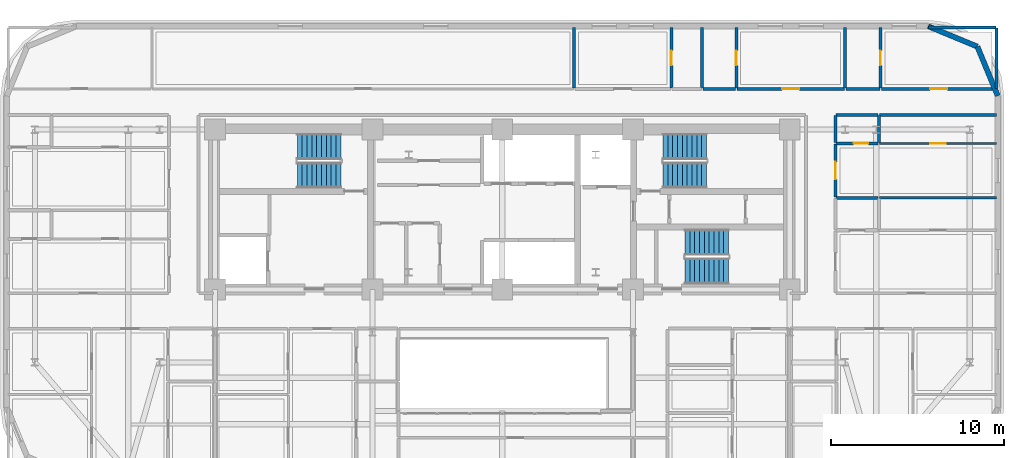
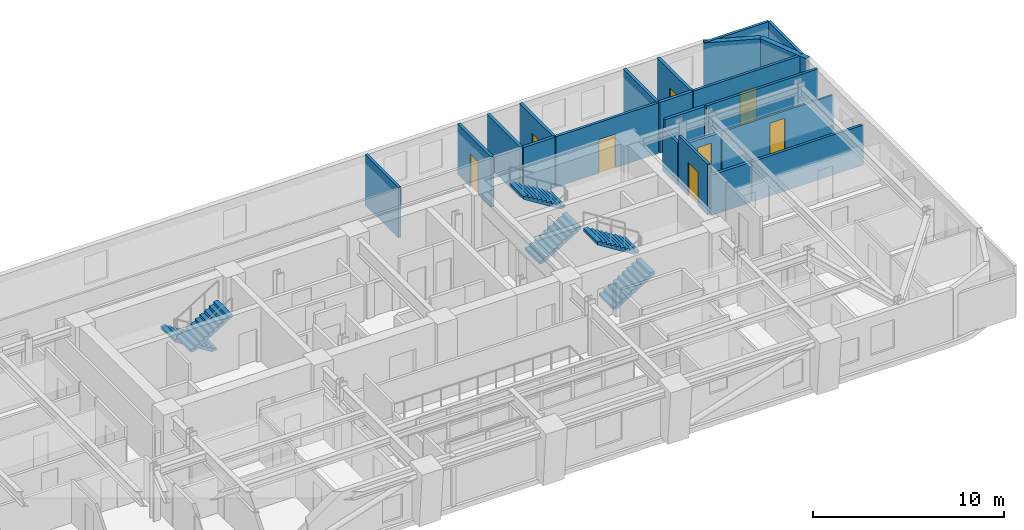
# One storey, part 13 of 16: 23 walls, 8 doors, 6 stair flights, 8 openings, 3 elements without a shape of their own.
"""IFC4 building model written with IfcOpenShell, lengths in metres."""

from ifc_helpers import new_model, si_unit, direction, frame, frame_2d, origin, place, context, subcontext, project, spatial, polyline, rectangle, outline, extrude, material, layer, layer_set, type_object, element, fill, aggregate, save


model = new_model("IFC4")

# Units and contexts
model_context = context("Model", 3, precision=1e-05, world=origin(), true_north=direction((0.0, 1.0)))
body_context = subcontext(model_context, "Body", "Model", "MODEL_VIEW")
ifc_project = project(units=[si_unit("LENGTHUNIT", "METRE"), si_unit("AREAUNIT", "SQUARE_METRE"), si_unit("VOLUMEUNIT", "CUBIC_METRE"), si_unit("PLANEANGLEUNIT", "RADIAN"), si_unit("MASSUNIT", "GRAM", prefix="KILO")], contexts=[model_context])

# Site, building, storey
site_placement = place(None, origin())
site = spatial("IfcSite", under=ifc_project, at=site_placement, CompositionType="ELEMENT")
building_placement = place(site_placement, origin())
building = spatial("IfcBuilding", under=site, at=building_placement, Name="Zarnavel Station Tower", CompositionType="ELEMENT")
storey_placement = place(building_placement, frame((0.0, 0.0, 104.800048828125)))
storey = spatial("IfcBuildingStorey", under=building, at=storey_placement, Name="L28", CompositionType="ELEMENT", Elevation=104.800048828125)

# Walls
ifc_material_1 = material(Name="Precast concrete C45/55 (Dark Basalt Finish)", Category="masonry")
ifc_layer_1 = layer(ifc_material_1, 0.300048828125)
ifc_layer_set_1 = layer_set([ifc_layer_1], Name="EW_BASALT_300")
wall_type_1 = type_object("IfcWallType", Name="EW_BASALT_300", PredefinedType="SOLIDWALL", material=ifc_layer_set_1)
wall_1_placement = place(storey_placement, frame((56.24267578125, 41.842529296875, 0.0), z_axis=(0.0, 0.0, 1.0), x_axis=(0.382636798336, -0.92389884758, 0.0)))
element("IfcWall", 1, at=wall_1_placement, inside=storey, type_object=wall_type_1, Name="L28 Exterior Basalt Masonry Frame Wall 04", PredefinedType="SOLIDWALL", context=body_context, shape_type="SweptSolid", body=[
    extrude(rectangle(XDim=3.07666015625, YDim=0.300048828125, at=frame_2d((1.538330078125, 0.0))), origin(), (0.0, 0.0, 1.0), 3.239990234375),
])
wall_2_placement = place(storey_placement, frame((53.39990234375, 43.02001953125, 0.0), z_axis=(0.0, 0.0, 1.0), x_axis=(0.923882414032, -0.382676475685, 0.0)))
element("IfcWall", 2, at=wall_2_placement, inside=storey, type_object=wall_type_1, Name="L28 Exterior Basalt Masonry Frame Wall 05", PredefinedType="SOLIDWALL", context=body_context, shape_type="SweptSolid", body=[
    extrude(rectangle(XDim=3.076904296875, YDim=0.300048828125, at=frame_2d((1.53857421875, 0.0))), origin(), (0.0, 0.0, 1.0), 3.239990234375),
])

# Wall, opening, door
ifc_material_2 = material(Name="Gypsum Twin-Stud Acoustic Fire Partition", Category="concrete")
ifc_layer_2 = layer(ifc_material_2, 0.159912109375)
ifc_layer_set_2 = layer_set([ifc_layer_2], Name="PT_DEMISE_160")
wall_type_2 = type_object("IfcWallType", Name="PT_DEMISE_160", PredefinedType="PARTITIONING", material=ifc_layer_set_2)
wall_3_placement = place(storey_placement, frame((48.050048828125, 33.14892578125, 0.0), z_axis=(0.0, 0.0, 1.0), x_axis=(0.0, 1.0, 0.0)))
wall_3 = element("IfcWall", 3, at=wall_3_placement, inside=storey, type_object=wall_type_2, Name="L28 Partition COR-E-FNE2R", PredefinedType="PARTITIONING", context=body_context, shape_type="SweptSolid", body=[
    extrude(rectangle(XDim=3.06103515625, YDim=0.159912109375, at=frame_2d((1.530517578125, 0.0))), origin(), (0.0, 0.0, 1.0), 3.239990234375),
])
opening_1_placement = place(wall_3_placement, frame((1.030517578125, 0.0, 0.0)))
opening_1 = element("IfcOpeningElement", 4, at=opening_1_placement, cuts=wall_3, Name="Opening FD02", PredefinedType="OPENING", context=body_context, shape_type="SweptSolid", body=[
    extrude(rectangle(XDim=1.0, YDim=2.14990234375, at=frame_2d((0.5, 1.074951171875))), frame((0.0, 0.08984375, 0.0), z_axis=(0.0, -1.0, 0.0), x_axis=(1.0, 0.0, 0.0)), (0.0, 0.0, 1.0), 0.179931640625),
])
ifc_material_3 = material(Name="Painted Galvanised Steel and Hardwood Leaf", Category="steel")
door_type_1 = type_object("IfcDoorType", Name="ID_ENTRY_1000", OperationType="NOTDEFINED", PredefinedType="DOOR", material=ifc_material_3)
door_1_placement = place(opening_1_placement, origin())
door_1 = element("IfcDoor", 5, at=door_1_placement, inside=storey, type_object=door_type_1, Name="L28 Door COR-E-FNE2R", OperationType="SINGLE_SWING_RIGHT", OverallHeight=2.14990234375, OverallWidth=1.0, PredefinedType="DOOR", context=body_context, shape_type="SweptSolid", body=[
    extrude(rectangle(XDim=1.0, YDim=2.14990234375, at=frame_2d((0.5, 1.074951171875))), frame((0.0, 0.02490234375, 0.0), z_axis=(0.0, -1.0, 0.0), x_axis=(1.0, 0.0, 0.0)), (0.0, 0.0, 1.0), 0.050048828125),
])
fill(opening_1, door_1)

# Wall
wall_4_placement = place(storey_placement, frame((50.590087890625, 37.89990234375, 0.0), z_axis=(0.0, 0.0, 1.0), x_axis=(1.0, 0.0, 0.0)))
element("IfcWall", 6, at=wall_4_placement, inside=storey, type_object=wall_type_2, Name="L28 Partition COR-N-FNE2S", PredefinedType="PARTITIONING", context=body_context, shape_type="SweptSolid", body=[
    extrude(rectangle(XDim=6.75, YDim=0.159912109375, at=frame_2d((3.375, 0.0))), origin(), (0.0, 0.0, 1.0), 3.239990234375),
])

# Wall, opening, door
wall_5_placement = place(storey_placement, frame((42.363037109375, 39.39990234375, 0.0), z_axis=(0.0, 0.0, 1.0), x_axis=(1.0, 0.0, 0.0)))
wall_5 = element("IfcWall", 7, at=wall_5_placement, inside=storey, type_object=wall_type_2, Name="L28 Partition COR-N-HN2R", PredefinedType="PARTITIONING", context=body_context, shape_type="SweptSolid", body=[
    extrude(rectangle(XDim=6.197021484375, YDim=0.159912109375, at=frame_2d((3.0986328125, 0.0))), origin(), (0.0, 0.0, 1.0), 3.239990234375),
])
opening_2_placement = place(wall_5_placement, frame((2.598388671875, 0.0, 0.0)))
opening_2 = element("IfcOpeningElement", 8, at=opening_2_placement, cuts=wall_5, Name="Opening FD02", PredefinedType="OPENING", context=body_context, shape_type="SweptSolid", body=[
    extrude(rectangle(XDim=1.0, YDim=2.14990234375, at=frame_2d((0.5, 1.074951171875))), frame((0.0, 0.08984375, 0.0), z_axis=(0.0, -1.0, 0.0), x_axis=(1.0, 0.0, 0.0)), (0.0, 0.0, 1.0), 0.179931640625),
])
door_2_placement = place(opening_2_placement, origin())
door_2 = element("IfcDoor", 9, at=door_2_placement, inside=storey, type_object=door_type_1, Name="L28 Door COR-N-HN2R", OperationType="SINGLE_SWING_RIGHT", OverallHeight=2.14990234375, OverallWidth=1.0, PredefinedType="DOOR", context=body_context, shape_type="SweptSolid", body=[
    extrude(rectangle(XDim=1.0, YDim=2.14990234375, at=frame_2d((0.5, 1.074951171875))), frame((0.0, 0.02490234375, 0.0), z_axis=(0.0, -1.0, 0.0), x_axis=(1.0, 0.0, 0.0)), (0.0, 0.0, 1.0), 0.050048828125),
])
fill(opening_2, door_2)

wall_6_placement = place(storey_placement, frame((50.68994140625, 39.39990234375, 0.0), z_axis=(0.0, 0.0, 1.0), x_axis=(1.0, 0.0, 0.0)))
wall_6 = element("IfcWall", 10, at=wall_6_placement, inside=storey, type_object=wall_type_2, Name="L28 Partition COR-N-HN3R", PredefinedType="PARTITIONING", context=body_context, shape_type="SweptSolid", body=[
    extrude(rectangle(XDim=6.650146484375, YDim=0.159912109375, at=frame_2d((3.3251953125, 0.0))), origin(), (0.0, 0.0, 1.0), 3.239990234375),
])
opening_3_placement = place(wall_6_placement, frame((2.824951171875, 0.0, 0.0)))
opening_3 = element("IfcOpeningElement", 11, at=opening_3_placement, cuts=wall_6, Name="Opening FD02", PredefinedType="OPENING", context=body_context, shape_type="SweptSolid", body=[
    extrude(rectangle(XDim=1.0, YDim=2.14990234375, at=frame_2d((0.5, 1.074951171875))), frame((0.0, 0.08984375, 0.0), z_axis=(0.0, -1.0, 0.0), x_axis=(1.0, 0.0, 0.0)), (0.0, 0.0, 1.0), 0.179931640625),
])
door_3_placement = place(opening_3_placement, origin())
door_3 = element("IfcDoor", 12, at=door_3_placement, inside=storey, type_object=door_type_1, Name="L28 Door COR-N-HN3R", OperationType="SINGLE_SWING_LEFT", OverallHeight=2.14990234375, OverallWidth=1.0, PredefinedType="DOOR", context=body_context, shape_type="SweptSolid", body=[
    extrude(rectangle(XDim=1.0, YDim=2.14990234375, at=frame_2d((0.5, 1.074951171875))), frame((0.0, 0.02490234375, 0.0), z_axis=(0.0, -1.0, 0.0), x_axis=(1.0, 0.0, 0.0)), (0.0, 0.0, 1.0), 0.050048828125),
])
fill(opening_3, door_3)

# Walls
wall_7_placement = place(storey_placement, frame((50.590087890625, 33.10888671875, 0.0), z_axis=(0.0, 0.0, 1.0), x_axis=(1.0, 0.0, 0.0)))
element("IfcWall", 13, at=wall_7_placement, inside=storey, type_object=wall_type_2, Name="L28 Partition FNE1S-FNE2R", PredefinedType="PARTITIONING", context=body_context, shape_type="SweptSolid", body=[
    extrude(rectangle(XDim=6.75, YDim=0.159912109375, at=frame_2d((3.375, 0.0))), origin(), (0.0, 0.0, 1.0), 2.570068359375),
])
wall_8_placement = place(storey_placement, frame((32.949951171875, 39.43994140625, 0.0), z_axis=(0.0, 0.0, 1.0), x_axis=(0.0, 1.0, 0.0)))
element("IfcWall", 14, at=wall_8_placement, inside=storey, type_object=wall_type_2, Name="L28 Partition NCLB-HN1R", PredefinedType="PARTITIONING", context=body_context, shape_type="SweptSolid", body=[
    extrude(rectangle(XDim=3.5, YDim=0.159912109375, at=frame_2d((1.75, 0.0))), origin(), (0.0, 0.0, 1.0), 3.239990234375),
])
wall_9_placement = place(storey_placement, frame((53.429931640625, 42.93994140625, 0.0), z_axis=(0.0, 0.0, 1.0), x_axis=(1.0, 0.0, 0.0)))
element("IfcWall", 15, at=wall_9_placement, inside=storey, type_object=wall_type_2, Name="L28 Enclosure Wall HN3R", PredefinedType="PARTITIONING", context=body_context, shape_type="SweptSolid", body=[
    extrude(rectangle(XDim=3.880126953125, YDim=0.159912109375, at=frame_2d((1.93994140625, 0.0))), origin(), (0.0, 0.0, 1.0), 3.239990234375),
])
wall_10_placement = place(storey_placement, frame((57.340087890625, 39.429931640625, 0.0), z_axis=(0.0, 0.0, 1.0), x_axis=(0.0, 1.0, 0.0)))
element("IfcWall", 16, at=wall_10_placement, inside=storey, type_object=wall_type_2, Name="L28 Enclosure Wall HN3R", PredefinedType="PARTITIONING", context=body_context, shape_type="SweptSolid", body=[
    extrude(rectangle(XDim=3.47998046875, YDim=0.159912109375, at=frame_2d((1.739990234375, 0.0))), origin(), (0.0, 0.0, 1.0), 3.239990234375),
])

# Wall, opening, door
ifc_material_4 = material(Name="Gypsum Metal-Stud Interior Partition", Category="concrete")
ifc_layer_3 = layer(ifc_material_4, 0.1201171875)
ifc_layer_set_3 = layer_set([ifc_layer_3], Name="PT_ROOM_120")
wall_type_3 = type_object("IfcWallType", Name="PT_ROOM_120", PredefinedType="PARTITIONING", material=ifc_layer_set_3)
wall_11_placement = place(storey_placement, frame((50.590087890625, 36.25, 0.0), z_axis=(0.0, 0.0, 1.0), x_axis=(1.0, 0.0, 0.0)))
wall_11 = element("IfcWall", 17, at=wall_11_placement, inside=storey, type_object=wall_type_3, Name="L28 Partition FNE2R-FNE2S", PredefinedType="PARTITIONING", context=body_context, shape_type="SweptSolid", body=[
    extrude(rectangle(XDim=6.75, YDim=0.1201171875, at=frame_2d((3.375, 0.0))), origin(), (0.0, 0.0, 1.0), 2.570068359375),
])
opening_4_placement = place(wall_11_placement, frame((2.925048828125, 0.0, 0.0)))
opening_4 = element("IfcOpeningElement", 18, at=opening_4_placement, cuts=wall_11, Name="Opening ID01", PredefinedType="OPENING", context=body_context, shape_type="SweptSolid", body=[
    extrude(rectangle(XDim=0.89990234375, YDim=2.10009765625, at=frame_2d((0.449951171875, 1.050048828125))), frame((0.0, 0.070068359375, 0.0), z_axis=(0.0, -1.0, 0.0), x_axis=(1.0, 0.0, 0.0)), (0.0, 0.0, 1.0), 0.14013671875),
])
ifc_material_5 = material(Name="Painted Galvanised Steel and Hardwood Leaf", Category="steel")
door_type_2 = type_object("IfcDoorType", Name="ID_ROOM_900", OperationType="NOTDEFINED", PredefinedType="DOOR", material=ifc_material_5)
door_4_placement = place(opening_4_placement, origin())
door_4 = element("IfcDoor", 19, at=door_4_placement, inside=storey, type_object=door_type_2, Name="L28 Door FNE2R-FNE2S", OperationType="SINGLE_SWING_RIGHT", OverallHeight=2.10009765625, OverallWidth=0.89990234375, PredefinedType="DOOR", context=body_context, shape_type="SweptSolid", body=[
    extrude(rectangle(XDim=0.89990234375, YDim=2.10009765625, at=frame_2d((0.449951171875, 1.050048828125))), frame((0.0, 0.02490234375, 0.0), z_axis=(0.0, -1.0, 0.0), x_axis=(1.0, 0.0, 0.0)), (0.0, 0.0, 1.0), 0.050048828125),
])
fill(opening_4, door_4)

# Walls
ifc_material_6 = material(Name="Moisture-Resistant Plumbing Chase Wall", Category="concrete")
ifc_layer_4 = layer(ifc_material_6, 0.179931640625)
ifc_layer_set_4 = layer_set([ifc_layer_4], Name="PW_PLUMB_180")
wall_type_4 = type_object("IfcWallType", Name="PW_PLUMB_180", PredefinedType="PLUMBINGWALL", material=ifc_layer_set_4)
wall_12_placement = place(storey_placement, frame((48.050048828125, 36.2900390625, 0.0), z_axis=(0.0, 0.0, 1.0), x_axis=(0.0, 1.0, 0.0)))
element("IfcWall", 20, at=wall_12_placement, inside=storey, type_object=wall_type_4, Name="L28 Partition COR-E-FNE2B", PredefinedType="PLUMBINGWALL", context=body_context, shape_type="SweptSolid", body=[
    extrude(rectangle(XDim=1.570068359375, YDim=0.179931640625, at=frame_2d((0.78515625, 0.0))), origin(), (0.0, 0.0, 1.0), 2.719970703125),
])
wall_13_placement = place(storey_placement, frame((48.090087890625, 37.89990234375, 0.0), z_axis=(0.0, 0.0, 1.0), x_axis=(1.0, 0.0, 0.0)))
element("IfcWall", 21, at=wall_13_placement, inside=storey, type_object=wall_type_4, Name="L28 Partition COR-N-FNE2B", PredefinedType="PLUMBINGWALL", context=body_context, shape_type="SweptSolid", body=[
    extrude(rectangle(XDim=2.419921875, YDim=0.179931640625, at=frame_2d((1.2099609375, 0.0))), origin(), (0.0, 0.0, 1.0), 3.239990234375),
])
wall_14_placement = place(storey_placement, frame((40.381103515625, 39.39990234375, 0.0), z_axis=(0.0, 0.0, 1.0), x_axis=(1.0, 0.0, 0.0)))
element("IfcWall", 22, at=wall_14_placement, inside=storey, type_object=wall_type_4, Name="L28 Partition COR-N-HN2B", PredefinedType="PLUMBINGWALL", context=body_context, shape_type="SweptSolid", body=[
    extrude(rectangle(XDim=1.90185546875, YDim=0.179931640625, at=frame_2d((0.950927734375, 0.0))), origin(), (0.0, 0.0, 1.0), 3.239990234375),
])
wall_15_placement = place(storey_placement, frame((48.639892578125, 39.39990234375, 0.0), z_axis=(0.0, 0.0, 1.0), x_axis=(1.0, 0.0, 0.0)))
element("IfcWall", 23, at=wall_15_placement, inside=storey, type_object=wall_type_4, Name="L28 Partition COR-N-HN3B", PredefinedType="PLUMBINGWALL", context=body_context, shape_type="SweptSolid", body=[
    extrude(rectangle(XDim=1.97021484375, YDim=0.179931640625, at=frame_2d((0.985107421875, 0.0))), origin(), (0.0, 0.0, 1.0), 3.239990234375),
])
wall_16_placement = place(storey_placement, frame((48.090087890625, 33.10888671875, 0.0), z_axis=(0.0, 0.0, 1.0), x_axis=(1.0, 0.0, 0.0)))
element("IfcWall", 24, at=wall_16_placement, inside=storey, type_object=wall_type_4, Name="L28 Partition FNE1B-FNE2R", PredefinedType="PLUMBINGWALL", context=body_context, shape_type="SweptSolid", body=[
    extrude(rectangle(XDim=2.419921875, YDim=0.179931640625, at=frame_2d((1.2099609375, 0.0))), origin(), (0.0, 0.0, 1.0), 2.570068359375),
])

# Wall, opening, door
wall_17_placement = place(storey_placement, frame((50.510009765625, 36.25, 0.0), z_axis=(0.0, 0.0, 1.0), x_axis=(-1.0, 0.0, 0.0)))
wall_17 = element("IfcWall", 25, at=wall_17_placement, inside=storey, type_object=wall_type_4, Name="L28 Partition FNE2R-FNE2B", PredefinedType="PLUMBINGWALL", context=body_context, shape_type="SweptSolid", body=[
    extrude(rectangle(XDim=2.419921875, YDim=0.179931640625, at=frame_2d((1.2099609375, 0.0))), origin(), (0.0, 0.0, 1.0), 2.570068359375),
])
opening_5_placement = place(wall_17_placement, frame((0.570068359375, 0.0, 0.0)))
opening_5 = element("IfcOpeningElement", 26, at=opening_5_placement, cuts=wall_17, Name="Opening ID02", PredefinedType="OPENING", context=body_context, shape_type="SweptSolid", body=[
    extrude(rectangle(XDim=0.85009765625, YDim=2.10009765625, at=frame_2d((0.425048828125, 1.050048828125))), frame((0.0, 0.099853515625, 0.0), z_axis=(0.0, -1.0, 0.0), x_axis=(1.0, 0.0, 0.0)), (0.0, 0.0, 1.0), 0.199951171875),
])
ifc_material_7 = material(Name="Painted Galvanised Steel and Hardwood Leaf", Category="steel")
door_type_3 = type_object("IfcDoorType", Name="ID_BATH_850", OperationType="NOTDEFINED", PredefinedType="DOOR", material=ifc_material_7)
door_5_placement = place(opening_5_placement, origin())
door_5 = element("IfcDoor", 27, at=door_5_placement, inside=storey, type_object=door_type_3, Name="L28 Door FNE2R-FNE2B", OperationType="SINGLE_SWING_LEFT", OverallHeight=2.10009765625, OverallWidth=0.85009765625, PredefinedType="DOOR", context=body_context, shape_type="SweptSolid", body=[
    extrude(rectangle(XDim=0.85009765625, YDim=2.10009765625, at=frame_2d((0.425048828125, 1.050048828125))), frame((0.0, 0.02490234375, 0.0), z_axis=(0.0, -1.0, 0.0), x_axis=(1.0, 0.0, 0.0)), (0.0, 0.0, 1.0), 0.050048828125),
])
fill(opening_5, door_5)

# Wall
wall_18_placement = place(storey_placement, frame((50.550048828125, 36.2900390625, 0.0), z_axis=(0.0, 0.0, 1.0), x_axis=(0.0, 1.0, 0.0)))
element("IfcWall", 28, at=wall_18_placement, inside=storey, type_object=wall_type_4, Name="L28 Partition FNE2B-FNE2S", PredefinedType="PLUMBINGWALL", context=body_context, shape_type="SweptSolid", body=[
    extrude(rectangle(XDim=1.570068359375, YDim=0.179931640625, at=frame_2d((0.78515625, 0.0))), origin(), (0.0, 0.0, 1.0), 2.570068359375),
])

# Wall, opening, door
wall_19_placement = place(storey_placement, frame((38.56689453125, 39.43994140625, 0.0), z_axis=(0.0, 0.0, 1.0), x_axis=(0.0, 1.0, 0.0)))
wall_19 = element("IfcWall", 29, at=wall_19_placement, inside=storey, type_object=wall_type_4, Name="L28 Partition HN1R-HN1B", PredefinedType="PLUMBINGWALL", context=body_context, shape_type="SweptSolid", body=[
    extrude(rectangle(XDim=3.5, YDim=0.179931640625, at=frame_2d((1.75, 0.0))), origin(), (0.0, 0.0, 1.0), 3.239990234375),
])
opening_6_placement = place(wall_19_placement, frame((1.324951171875, 0.0, 0.0)))
opening_6 = element("IfcOpeningElement", 30, at=opening_6_placement, cuts=wall_19, Name="Opening ID02", PredefinedType="OPENING", context=body_context, shape_type="SweptSolid", body=[
    extrude(rectangle(XDim=0.85009765625, YDim=2.10009765625, at=frame_2d((0.425048828125, 1.050048828125))), frame((0.0, 0.099853515625, 0.0), z_axis=(0.0, -1.0, 0.0), x_axis=(1.0, 0.0, 0.0)), (0.0, 0.0, 1.0), 0.199951171875),
])
door_6_placement = place(opening_6_placement, origin())
door_6 = element("IfcDoor", 31, at=door_6_placement, inside=storey, type_object=door_type_3, Name="L28 Door HN1R-HN1B", OperationType="SINGLE_SWING_LEFT", OverallHeight=2.10009765625, OverallWidth=0.85009765625, PredefinedType="DOOR", context=body_context, shape_type="SweptSolid", body=[
    extrude(rectangle(XDim=0.85009765625, YDim=2.10009765625, at=frame_2d((0.425048828125, 1.050048828125))), frame((0.0, 0.02490234375, 0.0), z_axis=(0.0, -1.0, 0.0), x_axis=(1.0, 0.0, 0.0)), (0.0, 0.0, 1.0), 0.050048828125),
])
fill(opening_6, door_6)

# Wall
wall_20_placement = place(storey_placement, frame((40.341064453125, 39.43994140625, 0.0), z_axis=(0.0, 0.0, 1.0), x_axis=(0.0, 1.0, 0.0)))
element("IfcWall", 32, at=wall_20_placement, inside=storey, type_object=wall_type_4, Name="L28 Partition HN1B-HN2B", PredefinedType="PLUMBINGWALL", context=body_context, shape_type="SweptSolid", body=[
    extrude(rectangle(XDim=3.5, YDim=0.179931640625, at=frame_2d((1.75, 0.0))), origin(), (0.0, 0.0, 1.0), 3.239990234375),
])

# Wall, opening, door
wall_21_placement = place(storey_placement, frame((42.322998046875, 39.43994140625, 0.0), z_axis=(0.0, 0.0, 1.0), x_axis=(0.0, 1.0, 0.0)))
wall_21 = element("IfcWall", 33, at=wall_21_placement, inside=storey, type_object=wall_type_4, Name="L28 Partition HN2R-HN2B", PredefinedType="PLUMBINGWALL", context=body_context, shape_type="SweptSolid", body=[
    extrude(rectangle(XDim=3.5, YDim=0.179931640625, at=frame_2d((1.75, 0.0))), origin(), (0.0, 0.0, 1.0), 3.239990234375),
])
opening_7_placement = place(wall_21_placement, frame((1.324951171875, 0.0, 0.0)))
opening_7 = element("IfcOpeningElement", 34, at=opening_7_placement, cuts=wall_21, Name="Opening ID02", PredefinedType="OPENING", context=body_context, shape_type="SweptSolid", body=[
    extrude(rectangle(XDim=0.85009765625, YDim=2.10009765625, at=frame_2d((0.425048828125, 1.050048828125))), frame((0.0, 0.099853515625, 0.0), z_axis=(0.0, -1.0, 0.0), x_axis=(1.0, 0.0, 0.0)), (0.0, 0.0, 1.0), 0.199951171875),
])
door_7_placement = place(opening_7_placement, origin())
door_7 = element("IfcDoor", 35, at=door_7_placement, inside=storey, type_object=door_type_3, Name="L28 Door HN2R-HN2B", OperationType="SINGLE_SWING_RIGHT", OverallHeight=2.10009765625, OverallWidth=0.85009765625, PredefinedType="DOOR", context=body_context, shape_type="SweptSolid", body=[
    extrude(rectangle(XDim=0.85009765625, YDim=2.10009765625, at=frame_2d((0.425048828125, 1.050048828125))), frame((0.0, 0.02490234375, 0.0), z_axis=(0.0, -1.0, 0.0), x_axis=(1.0, 0.0, 0.0)), (0.0, 0.0, 1.0), 0.050048828125),
])
fill(opening_7, door_7)

# Wall
wall_22_placement = place(storey_placement, frame((48.60009765625, 39.43994140625, 0.0), z_axis=(0.0, 0.0, 1.0), x_axis=(0.0, 1.0, 0.0)))
element("IfcWall", 36, at=wall_22_placement, inside=storey, type_object=wall_type_4, Name="L28 Partition HN2R-HN3B", PredefinedType="PLUMBINGWALL", context=body_context, shape_type="SweptSolid", body=[
    extrude(rectangle(XDim=3.5, YDim=0.179931640625, at=frame_2d((1.75, 0.0))), origin(), (0.0, 0.0, 1.0), 3.239990234375),
])

# Wall, opening, door
wall_23_placement = place(storey_placement, frame((50.64990234375, 39.43994140625, 0.0), z_axis=(0.0, 0.0, 1.0), x_axis=(0.0, 1.0, 0.0)))
wall_23 = element("IfcWall", 37, at=wall_23_placement, inside=storey, type_object=wall_type_4, Name="L28 Partition HN3R-HN3B", PredefinedType="PLUMBINGWALL", context=body_context, shape_type="SweptSolid", body=[
    extrude(rectangle(XDim=3.5, YDim=0.179931640625, at=frame_2d((1.75, 0.0))), origin(), (0.0, 0.0, 1.0), 3.239990234375),
])
opening_8_placement = place(wall_23_placement, frame((1.324951171875, 0.0, 0.0)))
opening_8 = element("IfcOpeningElement", 38, at=opening_8_placement, cuts=wall_23, Name="Opening ID02", PredefinedType="OPENING", context=body_context, shape_type="SweptSolid", body=[
    extrude(rectangle(XDim=0.85009765625, YDim=2.10009765625, at=frame_2d((0.425048828125, 1.050048828125))), frame((0.0, 0.099853515625, 0.0), z_axis=(0.0, -1.0, 0.0), x_axis=(1.0, 0.0, 0.0)), (0.0, 0.0, 1.0), 0.199951171875),
])
door_8_placement = place(opening_8_placement, origin())
door_8 = element("IfcDoor", 39, at=door_8_placement, inside=storey, type_object=door_type_3, Name="L28 Door HN3R-HN3B", OperationType="SINGLE_SWING_LEFT", OverallHeight=2.10009765625, OverallWidth=0.85009765625, PredefinedType="DOOR", context=body_context, shape_type="SweptSolid", body=[
    extrude(rectangle(XDim=0.85009765625, YDim=2.10009765625, at=frame_2d((0.425048828125, 1.050048828125))), frame((0.0, 0.02490234375, 0.0), z_axis=(0.0, -1.0, 0.0), x_axis=(1.0, 0.0, 0.0)), (0.0, 0.0, 1.0), 0.050048828125),
])
fill(opening_8, door_8)

# Stair, stair flights
ifc_material_8 = material(Name="Concrete C45/55", Category="concrete")
stair_type = type_object("IfcStairType", Name="ST_CORE_150", PredefinedType="HALF_TURN_STAIR", material=ifc_material_8)
stair_1_placement = place(storey_placement, origin())
stair_1 = element("IfcStair", 40, at=stair_1_placement, inside=storey, type_object=stair_type, Name="L28 Core Exit Stair ST1", PredefinedType="HALF_TURN_STAIR")
ifc_material_9 = material(Name="Concrete C45/55", Category="concrete")
ifc_layer_5 = layer(ifc_material_9, 0.179931640625)
ifc_layer_set_5 = layer_set([ifc_layer_5], Name="ST_CORE_150_FLT")
stair_flight_type = type_object("IfcStairFlightType", Name="ST_CORE_150_FLT", PredefinedType="STRAIGHT", material=ifc_layer_set_5)
stair_flight_1_placement = place(storey_placement, frame((19.47998046875, 36.070068359375, 0.0), z_axis=(0.0, 0.0, 1.0), x_axis=(-1.0, 0.0, 0.0)))
stair_flight_1 = element("IfcStairFlight", 41, at=stair_flight_1_placement, type_object=stair_flight_type, Name="ST1 flight 1", NumberOfRisers=10, NumberOfTreads=9, PredefinedType="STRAIGHT", RiserHeight=0.175, TreadLength=0.28, context=body_context, shape_type="SweptSolid", body=[
    extrude(outline(polyline([(0.0, 0.0), (0.0, 0.175048828125), (0.280029296875, 0.175048828125), (0.280029296875, 0.35009765625), (0.56005859375, 0.35009765625), (0.56005859375, 0.52490234375), (0.840087890625, 0.52490234375), (0.840087890625, 0.699951171875), (1.1201171875, 0.699951171875), (1.1201171875, 0.875), (1.39990234375, 0.875), (1.39990234375, 1.050048828125), (1.679931640625, 1.050048828125), (1.679931640625, 1.22509765625), (1.9599609375, 1.22509765625), (1.9599609375, 1.39990234375), (2.239990234375, 1.39990234375), (2.239990234375, 1.574951171875), (2.52001953125, 1.574951171875), (2.52001953125, 1.75), (2.52001953125, 1.398193359375), (0.28271484375, 0.0), (0.0, 0.0)])), frame((0.0, 0.75, 0.0), z_axis=(0.0, -1.0, 0.0), x_axis=(1.0, 0.0, 0.0)), (0.0, 0.0, 1.0), 1.5),
])
stair_flight_2_placement = place(storey_placement, frame((16.9599609375, 34.409912109375, 1.75), z_axis=(0.0, 0.0, 1.0), x_axis=(1.0, 0.0, 0.0)))
stair_flight_2 = element("IfcStairFlight", 42, at=stair_flight_2_placement, type_object=stair_flight_type, Name="ST1 flight 2", NumberOfRisers=10, NumberOfTreads=9, PredefinedType="STRAIGHT", RiserHeight=0.175, TreadLength=0.28, context=body_context, shape_type="SweptSolid", body=[
    extrude(outline(polyline([(0.0, 0.0), (0.0, 0.175048828125), (0.280029296875, 0.175048828125), (0.280029296875, 0.35009765625), (0.56005859375, 0.35009765625), (0.56005859375, 0.52490234375), (0.840087890625, 0.52490234375), (0.840087890625, 0.699951171875), (1.1201171875, 0.699951171875), (1.1201171875, 0.875), (1.39990234375, 0.875), (1.39990234375, 1.050048828125), (1.679931640625, 1.050048828125), (1.679931640625, 1.22509765625), (1.9599609375, 1.22509765625), (1.9599609375, 1.39990234375), (2.239990234375, 1.39990234375), (2.239990234375, 1.574951171875), (2.52001953125, 1.574951171875), (2.52001953125, 1.75), (2.52001953125, 1.398193359375), (0.28271484375, 0.0), (0.0, 0.0)])), frame((0.0, 0.75, 0.0), z_axis=(0.0, -1.0, 0.0), x_axis=(1.0, 0.0, 0.0)), (0.0, 0.0, 1.0), 1.5),
])
aggregate(stair_1, [stair_flight_1, stair_flight_2])

stair_2_placement = place(storey_placement, origin())
stair_2 = element("IfcStair", 43, at=stair_2_placement, inside=storey, type_object=stair_type, Name="L28 Core Exit Stair ST2", PredefinedType="HALF_TURN_STAIR")
stair_flight_3_placement = place(storey_placement, frame((38.080078125, 34.409912109375, 0.0), z_axis=(0.0, 0.0, 1.0), x_axis=(1.0, 0.0, 0.0)))
stair_flight_3 = element("IfcStairFlight", 44, at=stair_flight_3_placement, type_object=stair_flight_type, Name="ST2 flight 1", NumberOfRisers=10, NumberOfTreads=9, PredefinedType="STRAIGHT", RiserHeight=0.175, TreadLength=0.28, context=body_context, shape_type="SweptSolid", body=[
    extrude(outline(polyline([(0.0, 0.0), (0.0, 0.175048828125), (0.280029296875, 0.175048828125), (0.280029296875, 0.35009765625), (0.56005859375, 0.35009765625), (0.56005859375, 0.52490234375), (0.840087890625, 0.52490234375), (0.840087890625, 0.699951171875), (1.1201171875, 0.699951171875), (1.1201171875, 0.875), (1.39990234375, 0.875), (1.39990234375, 1.050048828125), (1.679931640625, 1.050048828125), (1.679931640625, 1.22509765625), (1.9599609375, 1.22509765625), (1.9599609375, 1.39990234375), (2.239990234375, 1.39990234375), (2.239990234375, 1.574951171875), (2.52001953125, 1.574951171875), (2.52001953125, 1.75), (2.52001953125, 1.398193359375), (0.28271484375, 0.0), (0.0, 0.0)])), frame((0.0, 0.75, 0.0), z_axis=(0.0, -1.0, 0.0), x_axis=(1.0, 0.0, 0.0)), (0.0, 0.0, 1.0), 1.5),
])
stair_flight_4_placement = place(storey_placement, frame((40.60009765625, 36.070068359375, 1.75), z_axis=(0.0, 0.0, 1.0), x_axis=(-1.0, 0.0, 0.0)))
stair_flight_4 = element("IfcStairFlight", 45, at=stair_flight_4_placement, type_object=stair_flight_type, Name="ST2 flight 2", NumberOfRisers=10, NumberOfTreads=9, PredefinedType="STRAIGHT", RiserHeight=0.175, TreadLength=0.28, context=body_context, shape_type="SweptSolid", body=[
    extrude(outline(polyline([(0.0, 0.0), (0.0, 0.175048828125), (0.280029296875, 0.175048828125), (0.280029296875, 0.35009765625), (0.56005859375, 0.35009765625), (0.56005859375, 0.52490234375), (0.840087890625, 0.52490234375), (0.840087890625, 0.699951171875), (1.1201171875, 0.699951171875), (1.1201171875, 0.875), (1.39990234375, 0.875), (1.39990234375, 1.050048828125), (1.679931640625, 1.050048828125), (1.679931640625, 1.22509765625), (1.9599609375, 1.22509765625), (1.9599609375, 1.39990234375), (2.239990234375, 1.39990234375), (2.239990234375, 1.574951171875), (2.52001953125, 1.574951171875), (2.52001953125, 1.75), (2.52001953125, 1.398193359375), (0.28271484375, 0.0), (0.0, 0.0)])), frame((0.0, 0.75, 0.0), z_axis=(0.0, -1.0, 0.0), x_axis=(1.0, 0.0, 0.0)), (0.0, 0.0, 1.0), 1.5),
])
aggregate(stair_2, [stair_flight_3, stair_flight_4])

stair_3_placement = place(storey_placement, origin())
stair_3 = element("IfcStair", 46, at=stair_3_placement, inside=storey, type_object=stair_type, Name="L28 Core Exit Stair ST3", PredefinedType="HALF_TURN_STAIR")
stair_flight_5_placement = place(storey_placement, frame((39.35009765625, 28.8701171875, 0.0), z_axis=(0.0, 0.0, 1.0), x_axis=(1.0, 0.0, 0.0)))
stair_flight_5 = element("IfcStairFlight", 47, at=stair_flight_5_placement, type_object=stair_flight_type, Name="ST3 flight 1", NumberOfRisers=10, NumberOfTreads=9, PredefinedType="STRAIGHT", RiserHeight=0.175, TreadLength=0.28, context=body_context, shape_type="SweptSolid", body=[
    extrude(outline(polyline([(0.0, 0.0), (0.0, 0.175048828125), (0.280029296875, 0.175048828125), (0.280029296875, 0.35009765625), (0.56005859375, 0.35009765625), (0.56005859375, 0.52490234375), (0.840087890625, 0.52490234375), (0.840087890625, 0.699951171875), (1.1201171875, 0.699951171875), (1.1201171875, 0.875), (1.39990234375, 0.875), (1.39990234375, 1.050048828125), (1.679931640625, 1.050048828125), (1.679931640625, 1.22509765625), (1.9599609375, 1.22509765625), (1.9599609375, 1.39990234375), (2.239990234375, 1.39990234375), (2.239990234375, 1.574951171875), (2.52001953125, 1.574951171875), (2.52001953125, 1.75), (2.52001953125, 1.398193359375), (0.28271484375, 0.0), (0.0, 0.0)])), frame((0.0, 0.75, 0.0), z_axis=(0.0, -1.0, 0.0), x_axis=(1.0, 0.0, 0.0)), (0.0, 0.0, 1.0), 1.5),
])
stair_flight_6_placement = place(storey_placement, frame((41.8701171875, 30.530029296875, 1.75), z_axis=(0.0, 0.0, 1.0), x_axis=(-1.0, 0.0, 0.0)))
stair_flight_6 = element("IfcStairFlight", 48, at=stair_flight_6_placement, type_object=stair_flight_type, Name="ST3 flight 2", NumberOfRisers=10, NumberOfTreads=9, PredefinedType="STRAIGHT", RiserHeight=0.175, TreadLength=0.28, context=body_context, shape_type="SweptSolid", body=[
    extrude(outline(polyline([(0.0, 0.0), (0.0, 0.175048828125), (0.280029296875, 0.175048828125), (0.280029296875, 0.35009765625), (0.56005859375, 0.35009765625), (0.56005859375, 0.52490234375), (0.840087890625, 0.52490234375), (0.840087890625, 0.699951171875), (1.1201171875, 0.699951171875), (1.1201171875, 0.875), (1.39990234375, 0.875), (1.39990234375, 1.050048828125), (1.679931640625, 1.050048828125), (1.679931640625, 1.22509765625), (1.9599609375, 1.22509765625), (1.9599609375, 1.39990234375), (2.239990234375, 1.39990234375), (2.239990234375, 1.574951171875), (2.52001953125, 1.574951171875), (2.52001953125, 1.75), (2.52001953125, 1.398193359375), (0.28271484375, 0.0), (0.0, 0.0)])), frame((0.0, 0.75, 0.0), z_axis=(0.0, -1.0, 0.0), x_axis=(1.0, 0.0, 0.0)), (0.0, 0.0, 1.0), 1.5),
])
aggregate(stair_3, [stair_flight_5, stair_flight_6])

save(model, "model.ifc")
